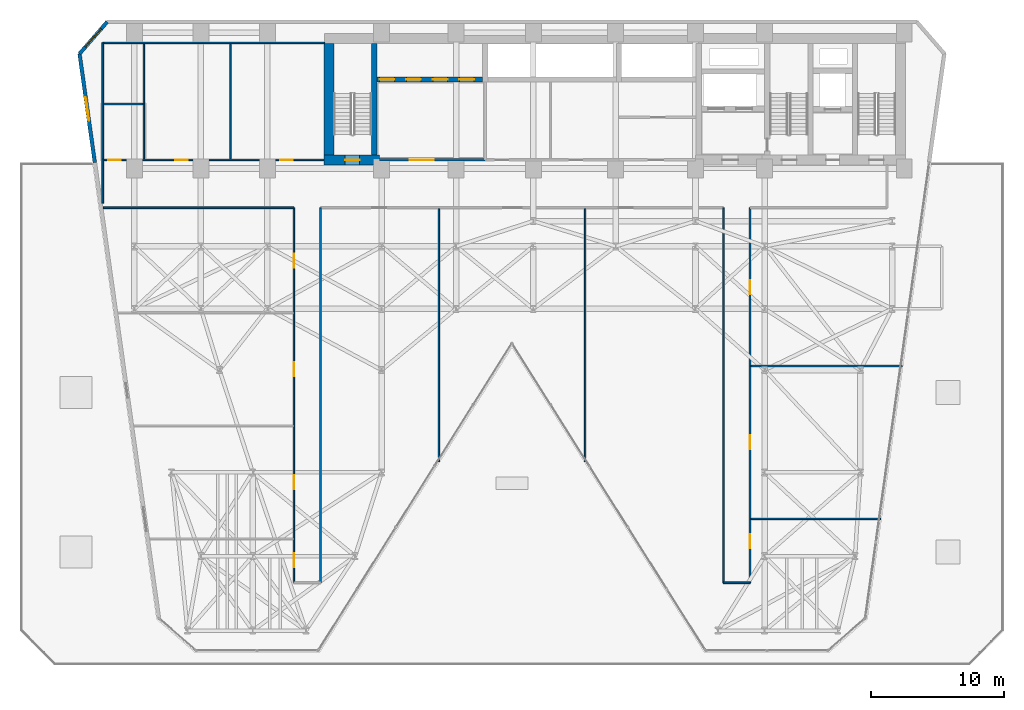
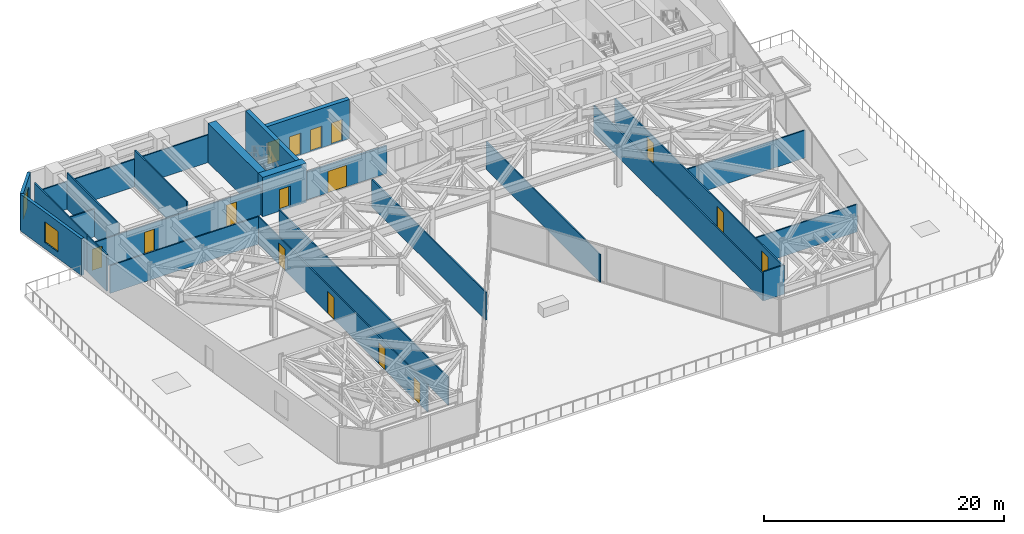
# One storey, part 18 of 25: 24 walls, 16 doors, 2 windows, 18 openings.
"""IFC4 building model written with IfcOpenShell, lengths in metres."""

import ifcopenshell
import ifcopenshell.guid

model = None  # the IFC model being written
_history = None  # IfcOwnerHistory: only IFC2X3 demands one
_inside = {}  # id of a spatial element -> (the spatial element, [elements in it])
_under = {}  # id of a project, library or spatial element -> (it, [spatial elements below it])
_declared = {}  # id of a project -> (the project, [libraries it declares])
_typed = {}  # id of a type object -> (the type object, [elements of that type])
_made_of = {}  # id of a material, layer set ... -> (it, [elements and type objects made of it])


def new_model(schema):
    """Start an empty IFC model of exactly this schema.

    Asked for "IFC4X3", IfcOpenShell would pick the latest addendum, in which some entities
    have other attributes; the version numbers below select the first issue.
    IFC2X3 requires an IfcOwnerHistory on every rooted entity: one is made here for all.
    """
    global model, _history
    if schema == "IFC4X3":
        model = ifcopenshell.file(schema_version=(4, 3, 0, 0))
    else:
        model = ifcopenshell.file(schema=schema)
    _inside.clear()
    _under.clear()
    _declared.clear()
    _typed.clear()
    _made_of.clear()
    _history = None
    if model.schema == "IFC2X3":
        org = make("IfcOrganization", Name="unknown")
        user = make(
            "IfcPersonAndOrganization",
            ThePerson=make("IfcPerson", FamilyName="unknown"),
            TheOrganization=org,
        )
        app = make(
            "IfcApplication",
            ApplicationDeveloper=org,
            Version="unknown",
            ApplicationFullName="unknown",
            ApplicationIdentifier="unknown",
        )
        _history = make(
            "IfcOwnerHistory",
            OwningUser=user,
            OwningApplication=app,
            ChangeAction="ADDED",
            CreationDate=0,
        )
    return model


def make(cls, **values):
    """One entity of the class cls with the attributes given. An attribute that is None is left unset."""
    return model.create_entity(
        cls, **{name: value for name, value in values.items() if value is not None}
    )


def rooted(cls, **values):
    """An entity with a GlobalId (a new one), such as an element, a storey or a relation."""
    return make(cls, GlobalId=ifcopenshell.guid.new(), OwnerHistory=_history, **values)


def si_unit(unit_type, name, prefix=None):
    """IfcSIUnit, for example si_unit("LENGTHUNIT", "METRE", prefix="MILLI")."""
    return make("IfcSIUnit", UnitType=unit_type, Prefix=prefix, Name=name)


def assignment(units):
    """IfcUnitAssignment: the units of a project."""
    return None if units is None else make("IfcUnitAssignment", Units=units)


def point(xyz):
    """IfcCartesianPoint."""
    return None if xyz is None else make("IfcCartesianPoint", Coordinates=xyz)


def direction(xyz):
    """IfcDirection."""
    return None if xyz is None else make("IfcDirection", DirectionRatios=xyz)


def frame(location, z_axis=None, x_axis=None):
    """IfcAxis2Placement3D, a coordinate frame: its origin and axes. An axis left out is left unset."""
    return make(
        "IfcAxis2Placement3D",
        Location=point(location),
        Axis=direction(z_axis),
        RefDirection=direction(x_axis),
    )


def frame_2d(location, x_axis=None):
    """IfcAxis2Placement2D, a coordinate frame in the plane: its origin and x axis."""
    return make(
        "IfcAxis2Placement2D", Location=point(location), RefDirection=direction(x_axis)
    )


def origin():
    """The frame at (0, 0, 0) with its axes left unset."""
    return frame((0.0, 0.0, 0.0))


def place(relative_to, where):
    """IfcLocalPlacement: puts the frame where relative to a parent placement (None: the world)."""
    return make(
        "IfcLocalPlacement", PlacementRelTo=relative_to, RelativePlacement=where
    )


def context(
    kind, dimensions, precision=None, world=None, true_north=None, identifier=None
):
    """IfcGeometricRepresentationContext, for example the 3D "Model" context."""
    return make(
        "IfcGeometricRepresentationContext",
        ContextIdentifier=identifier,
        ContextType=kind,
        CoordinateSpaceDimension=dimensions,
        Precision=precision,
        WorldCoordinateSystem=world,
        TrueNorth=true_north,
    )


def subcontext(parent, identifier, kind, view, scale=None):
    """IfcGeometricRepresentationSubContext, for example "Body" below "Model"."""
    return make(
        "IfcGeometricRepresentationSubContext",
        ContextIdentifier=identifier,
        ContextType=kind,
        ParentContext=parent,
        TargetScale=scale,
        TargetView=view,
    )


def project(units=None, contexts=None):
    """IfcProject with its units and contexts."""
    return rooted(
        "IfcProject",
        Name="project",
        RepresentationContexts=contexts,
        UnitsInContext=assignment(units),
    )


def spatial(cls, under=None, at=None, **own):
    """A site, building, storey or space (cls), placed at a placement, below another one or the project."""
    s = rooted(cls, ObjectPlacement=at, **own)
    if under is not None:
        _under.setdefault(under.id(), (under, []))[1].append(s)
    return s


def profile(cls, at=None, kind="AREA", **sizes):
    """A parametric profile (cls). Its sizes go by their IFC names, for example OverallWidth=200.0."""
    return make(cls, ProfileType=kind, Position=at, **sizes)


def rectangle(**sizes):
    """IfcRectangleProfileDef."""
    return profile("IfcRectangleProfileDef", **sizes)


def extrude(swept, where, along, depth):
    """IfcExtrudedAreaSolid: the profile swept, set in the frame where, extruded along a direction by depth."""
    return make(
        "IfcExtrudedAreaSolid",
        SweptArea=swept,
        Position=where,
        ExtrudedDirection=direction(along),
        Depth=depth,
    )


def shape(context_of_items, identifier, shape_type, items):
    """IfcShapeRepresentation: the items that make up one representation, for example the "Body"."""
    return make(
        "IfcShapeRepresentation",
        ContextOfItems=context_of_items,
        RepresentationIdentifier=identifier,
        RepresentationType=shape_type,
        Items=items,
    )


def material(Name=None, Category=None):
    """IfcMaterial."""
    return make("IfcMaterial", Name=Name, Category=Category)


def layer(
    of_material, thickness, ventilated=None, Name=None, Category=None, Priority=None
):
    """IfcMaterialLayer: one layer of a wall or slab, of a material (None: an air gap)."""
    return make(
        "IfcMaterialLayer",
        Material=of_material,
        LayerThickness=thickness,
        IsVentilated=ventilated,
        Name=Name,
        Category=Category,
        Priority=Priority,
    )


def layer_set(layers, Name=None):
    """IfcMaterialLayerSet."""
    return make("IfcMaterialLayerSet", MaterialLayers=layers, LayerSetName=Name)


def made_of(thing, what):
    """Note that an element or type object is made of a material, layer set ...; save() writes the relation."""
    if what is not None:
        _made_of.setdefault(what.id(), (what, []))[1].append(thing)
    return thing


def type_object(cls, material=None, **own):
    """A type object (cls), such as IfcWallType, which elements share."""
    return made_of(rooted(cls, **own), material)


def element(
    cls,
    number,
    at=None,
    inside=None,
    cuts=None,
    type_object=None,
    material=None,
    context=None,
    identifier="Body",
    shape_type=None,
    held_by="IfcProductDefinitionShape",
    body=None,
    shapes=None,
    **own,
):
    """One element of the class cls, such as IfcWall. Its Tag is "e" and its number.

    at: its placement. inside: the storey or other place that contains it. cuts: it is an
    opening in that element (IfcRelVoidsElement). A single representation is given by context,
    identifier, shape_type and body (its items); several are given by shapes. held_by: the class
    of the entity that holds the representations. save() writes the other relations.
    """
    e = rooted(cls, Tag="e%d" % number, ObjectPlacement=at, **own)
    if body is not None:
        shapes = [shape(context, identifier, shape_type, body)]
    if shapes is not None:
        e.Representation = make(held_by, Representations=shapes)
    if inside is not None:
        _inside.setdefault(inside.id(), (inside, []))[1].append(e)
    if cuts is not None:
        rooted(
            "IfcRelVoidsElement", RelatingBuildingElement=cuts, RelatedOpeningElement=e
        )
    if type_object is not None:
        _typed.setdefault(type_object.id(), (type_object, []))[1].append(e)
    return made_of(e, material)


def fill(opening, filler):
    """IfcRelFillsElement: the door or window that sits in an opening."""
    return rooted(
        "IfcRelFillsElement",
        RelatingOpeningElement=opening,
        RelatedBuildingElement=filler,
    )


def aggregate(whole, parts):
    """IfcRelAggregates: a whole, such as a stair, and the parts it consists of."""
    return rooted("IfcRelAggregates", RelatingObject=whole, RelatedObjects=parts)


def save(model, path):
    """Write the relations noted so far, then the file.

    IfcRelAggregates (storeys below a building ...), IfcRelContainedInSpatialStructure (elements
    in a storey), IfcRelDefinesByType, IfcRelAssociatesMaterial and IfcRelDeclares: one each for
    every whole, place, type object, material and project.
    """
    for whole, parts in _under.values():
        aggregate(whole, parts)
    for where, things in _inside.values():
        rooted(
            "IfcRelContainedInSpatialStructure",
            RelatedElements=things,
            RelatingStructure=where,
        )
    for kind, things in _typed.values():
        rooted("IfcRelDefinesByType", RelatedObjects=things, RelatingType=kind)
    for what, things in _made_of.values():
        rooted("IfcRelAssociatesMaterial", RelatedObjects=things, RelatingMaterial=what)
    for by, libraries in _declared.values():
        rooted("IfcRelDeclares", RelatingContext=by, RelatedDefinitions=libraries)
    model.write(path)


model = new_model("IFC4")

# Units and contexts
model_context = context("Model", 3, precision=1e-05, world=origin(), true_north=direction((0.0, 1.0)))
body_context = subcontext(model_context, "Body", "Model", "MODEL_VIEW")
ifc_project = project(units=[si_unit("LENGTHUNIT", "METRE"), si_unit("AREAUNIT", "SQUARE_METRE"), si_unit("VOLUMEUNIT", "CUBIC_METRE"), si_unit("PLANEANGLEUNIT", "RADIAN"), si_unit("MASSUNIT", "GRAM", prefix="KILO")], contexts=[model_context])

# Site, building, storey
site_placement = place(None, origin())
site = spatial("IfcSite", under=ifc_project, at=site_placement, CompositionType="ELEMENT")
building_placement = place(site_placement, origin())
building = spatial("IfcBuilding", under=site, at=building_placement, Name="Kravanh Interchange Tower", CompositionType="ELEMENT")
storey_placement = place(building_placement, frame((0.0, 0.0, 29.5)))
storey = spatial("IfcBuildingStorey", under=building, at=storey_placement, Name="L06", CompositionType="ELEMENT", Elevation=29.5)

# Wall, openings, doors
ifc_material_1 = material(Name="Double Acoustic Gypsum Board and Mineral Wool")
ifc_layer_1 = layer(ifc_material_1, 0.1201171875)
ifc_layer_set_1 = layer_set([ifc_layer_1], Name="Acoustic Office Drywall Partition 120mm")
wall_type_1 = type_object("IfcWallType", Name="Acoustic Office Drywall Partition 120mm", PredefinedType="PARTITIONING", material=ifc_layer_set_1)
wall_1_placement = place(storey_placement, frame((6.219970703125, 38.0, 0.0), z_axis=(0.0, 0.0, 1.0), x_axis=(1.0, 0.0, 0.0)))
wall_1 = element("IfcWall", 1, at=wall_1_placement, inside=storey, type_object=wall_type_1, Name="L06 Restroom Corridor Wall 7", PredefinedType="PARTITIONING", context=body_context, shape_type="SweptSolid", body=[
    extrude(rectangle(XDim=16.630126953125, YDim=0.1201171875, at=frame_2d((8.31494140625, 0.0))), origin(), (0.0, 0.0, 1.0), 2.81298828125),
])
opening_1_placement = place(wall_1_placement, frame((0.424072265625, 0.0, 0.0)))
opening_1 = element("IfcOpeningElement", 2, at=opening_1_placement, cuts=wall_1, Name="Opening D-95", PredefinedType="OPENING", context=body_context, shape_type="SweptSolid", body=[
    extrude(rectangle(XDim=0.949951171875, YDim=2.14990234375, at=frame_2d((0.47509765625, 1.074951171875))), frame((0.0, 0.070068359375, 0.0), z_axis=(0.0, -1.0, 0.0), x_axis=(1.0, 0.0, 0.0)), (0.0, 0.0, 1.0), 0.14013671875),
])
opening_2_placement = place(wall_1_placement, frame((5.444091796875, 0.0, 0.0)))
opening_2 = element("IfcOpeningElement", 3, at=opening_2_placement, cuts=wall_1, Name="Opening D-95", PredefinedType="OPENING", context=body_context, shape_type="SweptSolid", body=[
    extrude(rectangle(XDim=0.949951171875, YDim=2.14990234375, at=frame_2d((0.47509765625, 1.074951171875))), frame((0.0, 0.070068359375, 0.0), z_axis=(0.0, -1.0, 0.0), x_axis=(1.0, 0.0, 0.0)), (0.0, 0.0, 1.0), 0.14013671875),
])
opening_3_placement = place(wall_1_placement, frame((13.343994140625, 0.0, 0.0)))
opening_3 = element("IfcOpeningElement", 4, at=opening_3_placement, cuts=wall_1, Name="Opening D-95", PredefinedType="OPENING", context=body_context, shape_type="SweptSolid", body=[
    extrude(rectangle(XDim=0.949951171875, YDim=2.14990234375, at=frame_2d((0.47509765625, 1.074951171875))), frame((0.0, 0.070068359375, 0.0), z_axis=(0.0, -1.0, 0.0), x_axis=(1.0, 0.0, 0.0)), (0.0, 0.0, 1.0), 0.14013671875),
])
ifc_material_2 = material(Name="Laminate Solid-Core Timber", Category="wood")
door_type_1 = type_object("IfcDoorType", Name="Accessible Restroom Door 950x2150", OperationType="NOTDEFINED", PredefinedType="DOOR", material=ifc_material_2)
door_1_placement = place(opening_1_placement, origin())
door_1 = element("IfcDoor", 5, at=door_1_placement, inside=storey, type_object=door_type_1, Name="L06 Accessible WC Door", OperationType="SINGLE_SWING_RIGHT", OverallHeight=2.14990234375, OverallWidth=0.949951171875, PredefinedType="DOOR", context=body_context, shape_type="SweptSolid", body=[
    extrude(rectangle(XDim=0.949951171875, YDim=2.14990234375, at=frame_2d((0.47509765625, 1.074951171875))), frame((0.0, 0.02490234375, 0.0), z_axis=(0.0, -1.0, 0.0), x_axis=(1.0, 0.0, 0.0)), (0.0, 0.0, 1.0), 0.050048828125),
])
fill(opening_1, door_1)
door_2_placement = place(opening_2_placement, origin())
door_2 = element("IfcDoor", 6, at=door_2_placement, inside=storey, type_object=door_type_1, Name="L06 Female WC Door", OperationType="SINGLE_SWING_LEFT", OverallHeight=2.14990234375, OverallWidth=0.949951171875, PredefinedType="DOOR", context=body_context, shape_type="SweptSolid", body=[
    extrude(rectangle(XDim=0.949951171875, YDim=2.14990234375, at=frame_2d((0.47509765625, 1.074951171875))), frame((0.0, 0.02490234375, 0.0), z_axis=(0.0, -1.0, 0.0), x_axis=(1.0, 0.0, 0.0)), (0.0, 0.0, 1.0), 0.050048828125),
])
fill(opening_2, door_2)
door_3_placement = place(opening_3_placement, origin())
door_3 = element("IfcDoor", 7, at=door_3_placement, inside=storey, type_object=door_type_1, Name="L06 Male WC Door", OperationType="SINGLE_SWING_RIGHT", OverallHeight=2.14990234375, OverallWidth=0.949951171875, PredefinedType="DOOR", context=body_context, shape_type="SweptSolid", body=[
    extrude(rectangle(XDim=0.949951171875, YDim=2.14990234375, at=frame_2d((0.47509765625, 1.074951171875))), frame((0.0, 0.02490234375, 0.0), z_axis=(0.0, -1.0, 0.0), x_axis=(1.0, 0.0, 0.0)), (0.0, 0.0, 1.0), 0.050048828125),
])
fill(opening_3, door_3)

# Walls
wall_2_placement = place(storey_placement, frame((6.219970703125, 38.0, 0.0), z_axis=(0.0, 0.0, 1.0), x_axis=(0.0, 1.0, 0.0)))
element("IfcWall", 8, at=wall_2_placement, inside=storey, type_object=wall_type_1, Name="L06 Restroom West Enclosure 8", PredefinedType="PARTITIONING", context=body_context, shape_type="SweptSolid", body=[
    extrude(rectangle(XDim=8.800048828125, YDim=0.1201171875, at=frame_2d((4.39990234375, 0.0))), origin(), (0.0, 0.0, 1.0), 3.739990234375),
])
wall_3_placement = place(storey_placement, frame((6.219970703125, 46.800048828125, 0.0), z_axis=(0.0, 0.0, 1.0), x_axis=(1.0, 0.0, 0.0)))
element("IfcWall", 9, at=wall_3_placement, inside=storey, type_object=wall_type_1, Name="L06 Restroom North Enclosure 9", PredefinedType="PARTITIONING", context=body_context, shape_type="SweptSolid", body=[
    extrude(rectangle(XDim=16.679931640625, YDim=0.1201171875, at=frame_2d((8.33984375, 0.0))), origin(), (0.0, 0.0, 1.0), 2.81298828125),
])
for number, where, z_axis, x_axis, name in (
    (10, (9.320068359375, 38.068115234375, 0.0), (0.0, 0.0, 1.0), (0.0, 1.0, 0.0), "L06 Interior Partition 10"),
    (11, (15.840087890625, 38.068115234375, 0.0), (0.0, 0.0, 1.0), (0.0, 1.0, 0.0), "L06 Interior Partition 11"),
):
    element("IfcWall", number, at=place(storey_placement, frame(where, z_axis=z_axis, x_axis=x_axis)), inside=storey, type_object=wall_type_1, Name=name, PredefinedType="PARTITIONING", context=body_context, shape_type="SweptSolid", body=[
        extrude(rectangle(XDim=8.663818359375, YDim=0.1201171875, at=frame_2d((4.33203125, 0.0))), origin(), (0.0, 0.0, 1.0), 3.739990234375),
    ])
wall_4_placement = place(storey_placement, frame((6.2880859375, 42.199951171875, 0.0), z_axis=(0.0, 0.0, 1.0), x_axis=(1.0, 0.0, 0.0)))
element("IfcWall", 12, at=wall_4_placement, inside=storey, type_object=wall_type_1, Name="L06 Interior Partition 12", PredefinedType="PARTITIONING", context=body_context, shape_type="SweptSolid", body=[
    extrude(rectangle(XDim=2.9638671875, YDim=0.1201171875, at=frame_2d((1.48193359375, 0.0))), origin(), (0.0, 0.0, 1.0), 2.81298828125),
])
wall_5_placement = place(storey_placement, frame((6.269287109375, 34.39990234375, 0.0), z_axis=(0.0, 0.0, 1.0), x_axis=(1.0, 0.0, 0.0)))
element("IfcWall", 13, at=wall_5_placement, inside=storey, type_object=wall_type_1, Name="L06 Interior Partition 13", PredefinedType="PARTITIONING", context=body_context, shape_type="SweptSolid", body=[
    extrude(rectangle(XDim=14.330810546875, YDim=0.1201171875, at=frame_2d((7.16552734375, 0.0))), origin(), (0.0, 0.0, 1.0), 2.81298828125),
])
wall_6_placement = place(storey_placement, frame((6.219970703125, 34.751220703125, 0.0), z_axis=(0.0, 0.0, 1.0), x_axis=(0.0, 1.0, 0.0)))
element("IfcWall", 14, at=wall_6_placement, inside=storey, type_object=wall_type_1, Name="L06 Interior Partition 16", PredefinedType="PARTITIONING", context=body_context, shape_type="SweptSolid", body=[
    extrude(rectangle(XDim=3.298828125, YDim=0.1201171875, at=frame_2d((1.6494140625, 0.0))), origin(), (0.0, 0.0, 1.0), 3.739990234375),
])

# Wall, openings, doors
wall_7_placement = place(storey_placement, frame((20.60009765625, 6.199951171875, 0.0), z_axis=(0.0, 0.0, 1.0), x_axis=(0.0, 1.0, 0.0)))
wall_7 = element("IfcWall", 15, at=wall_7_placement, inside=storey, type_object=wall_type_1, Name="L06 Interior Partition 18", PredefinedType="PARTITIONING", context=body_context, shape_type="SweptSolid", body=[
    extrude(rectangle(XDim=28.199951171875, YDim=0.1201171875, at=frame_2d((14.10009765625, 0.0))), origin(), (0.0, 0.0, 1.0), 2.81298828125),
])
opening_4_placement = place(wall_7_placement, frame((1.166015625, 0.0, 0.0)))
opening_4 = element("IfcOpeningElement", 16, at=opening_4_placement, cuts=wall_7, Name="Opening D-105", PredefinedType="OPENING", context=body_context, shape_type="SweptSolid", body=[
    extrude(rectangle(XDim=1.050048828125, YDim=2.199951171875, at=frame_2d((0.52490234375, 1.10009765625))), frame((0.0, 0.070068359375, 0.0), z_axis=(0.0, -1.0, 0.0), x_axis=(1.0, 0.0, 0.0)), (0.0, 0.0, 1.0), 0.14013671875),
])
opening_5_placement = place(wall_7_placement, frame((7.02490234375, 0.0, 0.0)))
opening_5 = element("IfcOpeningElement", 17, at=opening_5_placement, cuts=wall_7, Name="Opening D-105", PredefinedType="OPENING", context=body_context, shape_type="SweptSolid", body=[
    extrude(rectangle(XDim=1.050048828125, YDim=2.199951171875, at=frame_2d((0.52490234375, 1.10009765625))), frame((0.0, 0.070068359375, 0.0), z_axis=(0.0, -1.0, 0.0), x_axis=(1.0, 0.0, 0.0)), (0.0, 0.0, 1.0), 0.14013671875),
])
opening_6_placement = place(wall_7_placement, frame((15.52490234375, 0.0, 0.0)))
opening_6 = element("IfcOpeningElement", 18, at=opening_6_placement, cuts=wall_7, Name="Opening D-105", PredefinedType="OPENING", context=body_context, shape_type="SweptSolid", body=[
    extrude(rectangle(XDim=1.050048828125, YDim=2.199951171875, at=frame_2d((0.52490234375, 1.10009765625))), frame((0.0, 0.070068359375, 0.0), z_axis=(0.0, -1.0, 0.0), x_axis=(1.0, 0.0, 0.0)), (0.0, 0.0, 1.0), 0.14013671875),
])
opening_7_placement = place(wall_7_placement, frame((23.699951171875, 0.0, 0.0)))
opening_7 = element("IfcOpeningElement", 19, at=opening_7_placement, cuts=wall_7, Name="Opening D-105", PredefinedType="OPENING", context=body_context, shape_type="SweptSolid", body=[
    extrude(rectangle(XDim=1.050048828125, YDim=2.199951171875, at=frame_2d((0.52490234375, 1.10009765625))), frame((0.0, 0.070068359375, 0.0), z_axis=(0.0, -1.0, 0.0), x_axis=(1.0, 0.0, 0.0)), (0.0, 0.0, 1.0), 0.14013671875),
])
ifc_material_3 = material(Name="Acoustic Glazed Oak and Aluminium", Category="aluminium")
door_type_2 = type_object("IfcDoorType", Name="Office Workplace Door 1050x2200", OperationType="NOTDEFINED", PredefinedType="DOOR", material=ifc_material_3)
door_4_placement = place(opening_4_placement, origin())
door_4 = element("IfcDoor", 20, at=door_4_placement, inside=storey, type_object=door_type_2, Name="L06 SW Corner Office Door", OperationType="SINGLE_SWING_LEFT", OverallHeight=2.199951171875, OverallWidth=1.050048828125, PredefinedType="DOOR", context=body_context, shape_type="SweptSolid", body=[
    extrude(rectangle(XDim=1.050048828125, YDim=2.199951171875, at=frame_2d((0.52490234375, 1.10009765625))), frame((0.0, 0.02490234375, 0.0), z_axis=(0.0, -1.0, 0.0), x_axis=(1.0, 0.0, 0.0)), (0.0, 0.0, 1.0), 0.050048828125),
])
fill(opening_4, door_4)
door_5_placement = place(opening_5_placement, origin())
door_5 = element("IfcDoor", 21, at=door_5_placement, inside=storey, type_object=door_type_2, Name="L06 West Partner Office Door", OperationType="SINGLE_SWING_RIGHT", OverallHeight=2.199951171875, OverallWidth=1.050048828125, PredefinedType="DOOR", context=body_context, shape_type="SweptSolid", body=[
    extrude(rectangle(XDim=1.050048828125, YDim=2.199951171875, at=frame_2d((0.52490234375, 1.10009765625))), frame((0.0, 0.02490234375, 0.0), z_axis=(0.0, -1.0, 0.0), x_axis=(1.0, 0.0, 0.0)), (0.0, 0.0, 1.0), 0.050048828125),
])
fill(opening_5, door_5)
door_6_placement = place(opening_6_placement, origin())
door_6 = element("IfcDoor", 22, at=door_6_placement, inside=storey, type_object=door_type_2, Name="L06 West Balcony Office Door", OperationType="SINGLE_SWING_LEFT", OverallHeight=2.199951171875, OverallWidth=1.050048828125, PredefinedType="DOOR", context=body_context, shape_type="SweptSolid", body=[
    extrude(rectangle(XDim=1.050048828125, YDim=2.199951171875, at=frame_2d((0.52490234375, 1.10009765625))), frame((0.0, 0.02490234375, 0.0), z_axis=(0.0, -1.0, 0.0), x_axis=(1.0, 0.0, 0.0)), (0.0, 0.0, 1.0), 0.050048828125),
])
fill(opening_6, door_6)
door_7_placement = place(opening_7_placement, origin())
door_7 = element("IfcDoor", 23, at=door_7_placement, inside=storey, type_object=door_type_2, Name="L06 NW Legal Office Door", OperationType="SINGLE_SWING_RIGHT", OverallHeight=2.199951171875, OverallWidth=1.050048828125, PredefinedType="DOOR", context=body_context, shape_type="SweptSolid", body=[
    extrude(rectangle(XDim=1.050048828125, YDim=2.199951171875, at=frame_2d((0.52490234375, 1.10009765625))), frame((0.0, 0.02490234375, 0.0), z_axis=(0.0, -1.0, 0.0), x_axis=(1.0, 0.0, 0.0)), (0.0, 0.0, 1.0), 0.050048828125),
])
fill(opening_7, door_7)

# Walls
for number, where, z_axis, x_axis, name in (
    (24, (22.60009765625, 6.199951171875, 0.0), (0.0, 0.0, 1.0), (0.0, 1.0, 0.0), "L06 Interior Partition 19"),
    (25, (52.89990234375, 6.199951171875, 0.0), (0.0, 0.0, 1.0), (0.0, 1.0, 0.0), "L06 Interior Partition 21"),
):
    element("IfcWall", number, at=place(storey_placement, frame(where, z_axis=z_axis, x_axis=x_axis)), inside=storey, type_object=wall_type_1, Name=name, PredefinedType="PARTITIONING", context=body_context, shape_type="SweptSolid", body=[
        extrude(rectangle(XDim=28.199951171875, YDim=0.1201171875, at=frame_2d((14.10009765625, 0.0))), origin(), (0.0, 0.0, 1.0), 2.81298828125),
    ])

# Wall, openings, doors
wall_8_placement = place(storey_placement, frame((54.89990234375, 6.199951171875, 0.0), z_axis=(0.0, 0.0, 1.0), x_axis=(0.0, 1.0, 0.0)))
wall_8 = element("IfcWall", 26, at=wall_8_placement, inside=storey, type_object=wall_type_1, Name="L06 Interior Partition 22", PredefinedType="PARTITIONING", context=body_context, shape_type="SweptSolid", body=[
    extrude(rectangle(XDim=28.199951171875, YDim=0.1201171875, at=frame_2d((14.10009765625, 0.0))), origin(), (0.0, 0.0, 1.0), 2.81298828125),
])
opening_8_placement = place(wall_8_placement, frame((2.601318359375, 0.0, 0.0)))
opening_8 = element("IfcOpeningElement", 27, at=opening_8_placement, cuts=wall_8, Name="Opening D-105", PredefinedType="OPENING", context=body_context, shape_type="SweptSolid", body=[
    extrude(rectangle(XDim=1.050048828125, YDim=2.199951171875, at=frame_2d((0.52490234375, 1.10009765625))), frame((0.0, 0.070068359375, 0.0), z_axis=(0.0, -1.0, 0.0), x_axis=(1.0, 0.0, 0.0)), (0.0, 0.0, 1.0), 0.14013671875),
])
opening_9_placement = place(wall_8_placement, frame((10.02490234375, 0.0, 0.0)))
opening_9 = element("IfcOpeningElement", 28, at=opening_9_placement, cuts=wall_8, Name="Opening D-105", PredefinedType="OPENING", context=body_context, shape_type="SweptSolid", body=[
    extrude(rectangle(XDim=1.050048828125, YDim=2.199951171875, at=frame_2d((0.52490234375, 1.10009765625))), frame((0.0, 0.070068359375, 0.0), z_axis=(0.0, -1.0, 0.0), x_axis=(1.0, 0.0, 0.0)), (0.0, 0.0, 1.0), 0.14013671875),
])
opening_10_placement = place(wall_8_placement, frame((21.699951171875, 0.0, 0.0)))
opening_10 = element("IfcOpeningElement", 29, at=opening_10_placement, cuts=wall_8, Name="Opening D-105", PredefinedType="OPENING", context=body_context, shape_type="SweptSolid", body=[
    extrude(rectangle(XDim=1.050048828125, YDim=2.199951171875, at=frame_2d((0.52490234375, 1.10009765625))), frame((0.0, 0.070068359375, 0.0), z_axis=(0.0, -1.0, 0.0), x_axis=(1.0, 0.0, 0.0)), (0.0, 0.0, 1.0), 0.14013671875),
])
door_8_placement = place(opening_8_placement, origin())
door_8 = element("IfcDoor", 30, at=door_8_placement, inside=storey, type_object=door_type_2, Name="L06 SE Executive Office Door", OperationType="SINGLE_SWING_LEFT", OverallHeight=2.199951171875, OverallWidth=1.050048828125, PredefinedType="DOOR", context=body_context, shape_type="SweptSolid", body=[
    extrude(rectangle(XDim=1.050048828125, YDim=2.199951171875, at=frame_2d((0.52490234375, 1.10009765625))), frame((0.0, 0.02490234375, 0.0), z_axis=(0.0, -1.0, 0.0), x_axis=(1.0, 0.0, 0.0)), (0.0, 0.0, 1.0), 0.050048828125),
])
fill(opening_8, door_8)
door_9_placement = place(opening_9_placement, origin())
door_9 = element("IfcDoor", 31, at=door_9_placement, inside=storey, type_object=door_type_2, Name="L06 East Associates Office Door", OperationType="SINGLE_SWING_RIGHT", OverallHeight=2.199951171875, OverallWidth=1.050048828125, PredefinedType="DOOR", context=body_context, shape_type="SweptSolid", body=[
    extrude(rectangle(XDim=1.050048828125, YDim=2.199951171875, at=frame_2d((0.52490234375, 1.10009765625))), frame((0.0, 0.02490234375, 0.0), z_axis=(0.0, -1.0, 0.0), x_axis=(1.0, 0.0, 0.0)), (0.0, 0.0, 1.0), 0.050048828125),
])
fill(opening_9, door_9)
door_10_placement = place(opening_10_placement, origin())
door_10 = element("IfcDoor", 32, at=door_10_placement, inside=storey, type_object=door_type_2, Name="L06 East Balcony Lounge Door", OperationType="SINGLE_SWING_LEFT", OverallHeight=2.199951171875, OverallWidth=1.050048828125, PredefinedType="DOOR", context=body_context, shape_type="SweptSolid", body=[
    extrude(rectangle(XDim=1.050048828125, YDim=2.199951171875, at=frame_2d((0.52490234375, 1.10009765625))), frame((0.0, 0.02490234375, 0.0), z_axis=(0.0, -1.0, 0.0), x_axis=(1.0, 0.0, 0.0)), (0.0, 0.0, 1.0), 0.050048828125),
])
fill(opening_10, door_10)

# Walls
wall_9_placement = place(storey_placement, frame((52.89990234375, 6.199951171875, 0.0), z_axis=(0.0, 0.0, 1.0), x_axis=(1.0, 0.0, 0.0)))
element("IfcWall", 33, at=wall_9_placement, inside=storey, type_object=wall_type_1, Name="L06 Interior Partition 23", PredefinedType="PARTITIONING", context=body_context, shape_type="SweptSolid", body=[
    extrude(rectangle(XDim=2.0, YDim=0.1201171875, at=frame_2d((1.0, 0.0))), origin(), (0.0, 0.0, 1.0), 2.97802734375),
])
wall_10_placement = place(storey_placement, frame((54.968017578125, 11.0, 0.0), z_axis=(0.0, 0.0, 1.0), x_axis=(1.0, 0.0, 0.0)))
element("IfcWall", 34, at=wall_10_placement, inside=storey, type_object=wall_type_1, Name="L06 Interior Partition 27", PredefinedType="PARTITIONING", context=body_context, shape_type="SweptSolid", body=[
    extrude(rectangle(XDim=9.74658203125, YDim=0.1201171875, at=frame_2d((4.873291015625, 0.0))), origin(), (0.0, 0.0, 1.0), 2.81298828125),
])
wall_11_placement = place(storey_placement, frame((54.968017578125, 22.5, 0.0), z_axis=(0.0, 0.0, 1.0), x_axis=(1.0, 0.0, 0.0)))
element("IfcWall", 35, at=wall_11_placement, inside=storey, type_object=wall_type_1, Name="L06 Interior Partition 28", PredefinedType="PARTITIONING", context=body_context, shape_type="SweptSolid", body=[
    extrude(rectangle(XDim=11.36279296875, YDim=0.1201171875, at=frame_2d((5.681396484375, 0.0))), origin(), (0.0, 0.0, 1.0), 2.81298828125),
])
for number, where, z_axis, x_axis, name in (
    (36, (31.5, 15.303955078125, 0.0), (0.0, 0.0, 1.0), (0.0, 1.0, 0.0), "L06 Interior Partition 29"),
    (37, (42.5, 15.303955078125, 0.0), (0.0, 0.0, 1.0), (0.0, 1.0, 0.0), "L06 Interior Partition 30"),
):
    element("IfcWall", number, at=place(storey_placement, frame(where, z_axis=z_axis, x_axis=x_axis)), inside=storey, type_object=wall_type_1, Name=name, PredefinedType="PARTITIONING", context=body_context, shape_type="SweptSolid", body=[
        extrude(rectangle(XDim=19.028076171875, YDim=0.1201171875, at=frame_2d((9.51416015625, 0.0))), origin(), (0.0, 0.0, 1.0), 2.81298828125),
    ])

# Wall, openings, doors
ifc_material_4 = material(Name="Concrete C80/95", Category="concrete")
ifc_layer_2 = layer(ifc_material_4, 0.39990234375)
ifc_layer_set_2 = layer_set([ifc_layer_2], Name="Core Shear Wall Concrete C80/95 400mm")
wall_type_2 = type_object("IfcWallType", Name="Core Shear Wall Concrete C80/95 400mm", PredefinedType="SHEAR", material=ifc_layer_set_2)
wall_12_placement = place(storey_placement, frame((26.85009765625, 44.050048828125, 0.0), z_axis=(0.0, 0.0, 1.0), x_axis=(1.0, 0.0, 0.0)))
wall_12 = element("IfcWall", 38, at=wall_12_placement, inside=storey, type_object=wall_type_2, Name="L06 Low-Rise Lift Shaft South Wall", PredefinedType="SHEAR", context=body_context, shape_type="SweptSolid", body=[
    extrude(rectangle(XDim=7.949951171875, YDim=0.39990234375, at=frame_2d((3.97509765625, 0.0))), origin(), (0.0, 0.0, 1.0), 4.0),
])
opening_11_placement = place(wall_12_placement, frame((0.199951171875, 0.0, 0.0)))
opening_11 = element("IfcOpeningElement", 39, at=opening_11_placement, cuts=wall_12, Name="Opening LD01", PredefinedType="OPENING", context=body_context, shape_type="SweptSolid", body=[
    extrude(rectangle(XDim=1.10009765625, YDim=2.199951171875, at=frame_2d((0.550048828125, 1.10009765625))), frame((0.0, 0.2099609375, 0.0), z_axis=(0.0, -1.0, 0.0), x_axis=(1.0, 0.0, 0.0)), (0.0, 0.0, 1.0), 0.419921875),
])
opening_12_placement = place(wall_12_placement, frame((2.199951171875, 0.0, 0.0)))
opening_12 = element("IfcOpeningElement", 40, at=opening_12_placement, cuts=wall_12, Name="Opening LD01", PredefinedType="OPENING", context=body_context, shape_type="SweptSolid", body=[
    extrude(rectangle(XDim=1.10009765625, YDim=2.199951171875, at=frame_2d((0.550048828125, 1.10009765625))), frame((0.0, 0.2099609375, 0.0), z_axis=(0.0, -1.0, 0.0), x_axis=(1.0, 0.0, 0.0)), (0.0, 0.0, 1.0), 0.419921875),
])
opening_13_placement = place(wall_12_placement, frame((4.199951171875, 0.0, 0.0)))
opening_13 = element("IfcOpeningElement", 41, at=opening_13_placement, cuts=wall_12, Name="Opening LD01", PredefinedType="OPENING", context=body_context, shape_type="SweptSolid", body=[
    extrude(rectangle(XDim=1.10009765625, YDim=2.199951171875, at=frame_2d((0.550048828125, 1.10009765625))), frame((0.0, 0.2099609375, 0.0), z_axis=(0.0, -1.0, 0.0), x_axis=(1.0, 0.0, 0.0)), (0.0, 0.0, 1.0), 0.419921875),
])
opening_14_placement = place(wall_12_placement, frame((6.199951171875, 0.0, 0.0)))
opening_14 = element("IfcOpeningElement", 42, at=opening_14_placement, cuts=wall_12, Name="Opening LD01", PredefinedType="OPENING", context=body_context, shape_type="SweptSolid", body=[
    extrude(rectangle(XDim=1.10009765625, YDim=2.199951171875, at=frame_2d((0.550048828125, 1.10009765625))), frame((0.0, 0.2099609375, 0.0), z_axis=(0.0, -1.0, 0.0), x_axis=(1.0, 0.0, 0.0)), (0.0, 0.0, 1.0), 0.419921875),
])
ifc_material_5 = material(Name="Stainless Steel 304", Category="steel")
door_type_3 = type_object("IfcDoorType", Name="Passenger Lift Sliding Landing Door 1100x2200", OperationType="DOUBLE_DOOR_SLIDING", PredefinedType="DOOR", material=ifc_material_5)
door_11_placement = place(opening_11_placement, origin())
door_11 = element("IfcDoor", 43, at=door_11_placement, inside=storey, type_object=door_type_3, Name="L06 Lift LP-L1 Landing Door", OperationType="DOUBLE_DOOR_SLIDING", OverallHeight=2.199951171875, OverallWidth=1.10009765625, PredefinedType="DOOR", context=body_context, shape_type="SweptSolid", body=[
    extrude(rectangle(XDim=1.10009765625, YDim=2.199951171875, at=frame_2d((0.550048828125, 1.10009765625))), frame((0.0, 0.02490234375, 0.0), z_axis=(0.0, -1.0, 0.0), x_axis=(1.0, 0.0, 0.0)), (0.0, 0.0, 1.0), 0.050048828125),
])
fill(opening_11, door_11)
door_12_placement = place(opening_12_placement, origin())
door_12 = element("IfcDoor", 44, at=door_12_placement, inside=storey, type_object=door_type_3, Name="L06 Lift LP-L2 Landing Door", OperationType="DOUBLE_DOOR_SLIDING", OverallHeight=2.199951171875, OverallWidth=1.10009765625, PredefinedType="DOOR", context=body_context, shape_type="SweptSolid", body=[
    extrude(rectangle(XDim=1.10009765625, YDim=2.199951171875, at=frame_2d((0.550048828125, 1.10009765625))), frame((0.0, 0.02490234375, 0.0), z_axis=(0.0, -1.0, 0.0), x_axis=(1.0, 0.0, 0.0)), (0.0, 0.0, 1.0), 0.050048828125),
])
fill(opening_12, door_12)
door_13_placement = place(opening_13_placement, origin())
door_13 = element("IfcDoor", 45, at=door_13_placement, inside=storey, type_object=door_type_3, Name="L06 Lift LP-L3 Landing Door", OperationType="DOUBLE_DOOR_SLIDING", OverallHeight=2.199951171875, OverallWidth=1.10009765625, PredefinedType="DOOR", context=body_context, shape_type="SweptSolid", body=[
    extrude(rectangle(XDim=1.10009765625, YDim=2.199951171875, at=frame_2d((0.550048828125, 1.10009765625))), frame((0.0, 0.02490234375, 0.0), z_axis=(0.0, -1.0, 0.0), x_axis=(1.0, 0.0, 0.0)), (0.0, 0.0, 1.0), 0.050048828125),
])
fill(opening_13, door_13)
door_14_placement = place(opening_14_placement, origin())
door_14 = element("IfcDoor", 46, at=door_14_placement, inside=storey, type_object=door_type_3, Name="L06 Lift LP-L4 Landing Door", OperationType="DOUBLE_DOOR_SLIDING", OverallHeight=2.199951171875, OverallWidth=1.10009765625, PredefinedType="DOOR", context=body_context, shape_type="SweptSolid", body=[
    extrude(rectangle(XDim=1.10009765625, YDim=2.199951171875, at=frame_2d((0.550048828125, 1.10009765625))), frame((0.0, 0.02490234375, 0.0), z_axis=(0.0, -1.0, 0.0), x_axis=(1.0, 0.0, 0.0)), (0.0, 0.0, 1.0), 0.050048828125),
])
fill(opening_14, door_14)

# Wall
wall_13_placement = place(storey_placement, frame((26.64990234375, 38.375, 0.0), z_axis=(0.0, 0.0, 1.0), x_axis=(0.0, 1.0, 0.0)))
element("IfcWall", 47, at=wall_13_placement, inside=storey, type_object=wall_type_2, Name="L06 Stair ST3 East Shear Wall", PredefinedType="SHEAR", context=body_context, shape_type="SweptSolid", body=[
    extrude(rectangle(XDim=8.375, YDim=0.39990234375, at=frame_2d((4.1875, 0.0))), origin(), (0.0, 0.0, 1.0), 4.0),
])

# Wall, opening, door
ifc_material_6 = material(Name="Concrete C80/95", Category="concrete")
ifc_layer_3 = layer(ifc_material_6, 0.75)
ifc_layer_set_3 = layer_set([ifc_layer_3], Name="Core Shear Wall Concrete C80/95 750mm")
wall_type_3 = type_object("IfcWallType", Name="Core Shear Wall Concrete C80/95 750mm", PredefinedType="SHEAR", material=ifc_layer_set_3)
wall_14_placement = place(storey_placement, frame((22.85009765625, 38.0, 0.0), z_axis=(0.0, 0.0, 1.0), x_axis=(1.0, 0.0, 0.0)))
wall_14 = element("IfcWall", 48, at=wall_14_placement, inside=storey, type_object=wall_type_3, Name="L06 Stair ST3 South Shear Wall", PredefinedType="SHEAR", context=body_context, shape_type="SweptSolid", body=[
    extrude(rectangle(XDim=4.199951171875, YDim=0.75, at=frame_2d((2.10009765625, 0.0))), origin(), (0.0, 0.0, 1.0), 4.0),
])
opening_15_placement = place(wall_14_placement, frame((1.60009765625, 0.0, 0.0)))
opening_15 = element("IfcOpeningElement", 49, at=opening_15_placement, cuts=wall_14, Name="Opening D-STAIR-110", PredefinedType="OPENING", context=body_context, shape_type="SweptSolid", body=[
    extrude(rectangle(XDim=1.10009765625, YDim=2.199951171875, at=frame_2d((0.550048828125, 1.10009765625))), frame((0.0, 0.385009765625, 0.0), z_axis=(0.0, -1.0, 0.0), x_axis=(1.0, 0.0, 0.0)), (0.0, 0.0, 1.0), 0.77001953125),
])
ifc_material_7 = material(Name="Structural Steel S355", Category="steel")
door_type_4 = type_object("IfcDoorType", Name="Fire-Rated Exit Stair Door 1100x2200", OperationType="NOTDEFINED", PredefinedType="DOOR", material=ifc_material_7)
door_15_placement = place(opening_15_placement, origin())
door_15 = element("IfcDoor", 50, at=door_15_placement, inside=storey, type_object=door_type_4, Name="L06 Exit Stair ST3 Door", OperationType="SINGLE_SWING_RIGHT", OverallHeight=2.199951171875, OverallWidth=1.10009765625, PredefinedType="DOOR", context=body_context, shape_type="SweptSolid", body=[
    extrude(rectangle(XDim=1.10009765625, YDim=2.199951171875, at=frame_2d((0.550048828125, 1.10009765625))), frame((0.0, 0.02490234375, 0.0), z_axis=(0.0, -1.0, 0.0), x_axis=(1.0, 0.0, 0.0)), (0.0, 0.0, 1.0), 0.050048828125),
])
fill(opening_15, door_15)

# Wall
wall_15_placement = place(storey_placement, frame((23.22509765625, 38.375, 0.0), z_axis=(0.0, 0.0, 1.0), x_axis=(0.0, 1.0, 0.0)))
element("IfcWall", 51, at=wall_15_placement, inside=storey, type_object=wall_type_3, Name="L06 Stair ST3 West Shear Wall", PredefinedType="SHEAR", context=body_context, shape_type="SweptSolid", body=[
    extrude(rectangle(XDim=8.375, YDim=0.75, at=frame_2d((4.1875, 0.0))), origin(), (0.0, 0.0, 1.0), 4.0),
])

# Wall, opening, window
ifc_material_8 = material(Name="Insulated Precast Concrete C40/50 with Bronze Cladding", Category="concrete")
ifc_layer_4 = layer(ifc_material_8, 0.280029296875)
ifc_layer_set_4 = layer_set([ifc_layer_4], Name="Exterior Insulated Concrete C40/50 Bronze Spandrel Wall 280mm")
wall_type_4 = type_object("IfcWallType", Name="Exterior Insulated Concrete C40/50 Bronze Spandrel Wall 280mm", PredefinedType="STANDARD", material=ifc_layer_set_4)
wall_16_placement = place(storey_placement, frame((5.625, 37.800048828125, 0.0), z_axis=(0.0, 0.0, 1.0), x_axis=(-0.139180172484, 0.990267074878, 0.0)))
wall_16 = element("IfcWall", 52, at=wall_16_placement, inside=storey, type_object=wall_type_4, Name="L06 Exterior Wall 2", PredefinedType="STANDARD", context=body_context, shape_type="SweptSolid", body=[
    extrude(rectangle(XDim=8.267333984375, YDim=0.280029296875, at=frame_2d((4.1337890625, 0.0))), origin(), (0.0, 0.0, 1.0), 3.739990234375),
])
opening_16_placement = place(wall_16_placement, frame((3.1728515625, 0.0, 0.64990234375)))
opening_16 = element("IfcOpeningElement", 53, at=opening_16_placement, cuts=wall_16, Name="Opening WN-180X210", PredefinedType="OPENING", context=body_context, shape_type="SweptSolid", body=[
    extrude(rectangle(XDim=1.800048828125, YDim=2.10009765625, at=frame_2d((0.89990234375, 1.050048828125))), frame((0.0, 0.14990234375, 0.0), z_axis=(0.0, -1.0, 0.0), x_axis=(1.0, 0.0, 0.0)), (0.0, 0.0, 1.0), 0.300048828125),
])
ifc_material_9 = material(Name="Thermally Broken Bronze Aluminium and Low-E Glass", Category="aluminium")
window_type = type_object("IfcWindowType", Name="Tower Pier Window 1800x2100", PartitioningType="SINGLE_PANEL", PredefinedType="WINDOW", material=ifc_material_9)
window_1_placement = place(opening_16_placement, origin())
window_1 = element("IfcWindow", 54, at=window_1_placement, inside=storey, type_object=window_type, Name="L06 Corner Window 2", OverallHeight=2.10009765625, OverallWidth=1.800048828125, PartitioningType="SINGLE_PANEL", PredefinedType="WINDOW", context=body_context, shape_type="SweptSolid", body=[
    extrude(rectangle(XDim=1.800048828125, YDim=2.10009765625, at=frame_2d((0.89990234375, 1.050048828125))), frame((0.0, 0.030029296875, 0.0), z_axis=(0.0, -1.0, 0.0), x_axis=(1.0, 0.0, 0.0)), (0.0, 0.0, 1.0), 0.06005859375),
])
fill(opening_16, window_1)

wall_17_placement = place(storey_placement, frame((4.474365234375, 45.98681640625, 0.0), z_axis=(0.0, 0.0, 1.0), x_axis=(0.656070053895, 0.754699996278, 0.0)))
wall_17 = element("IfcWall", 55, at=wall_17_placement, inside=storey, type_object=wall_type_4, Name="L06 Exterior Wall 3", PredefinedType="STANDARD", context=body_context, shape_type="SweptSolid", body=[
    extrude(rectangle(XDim=3.1708984375, YDim=0.280029296875, at=frame_2d((1.58544921875, 0.0))), origin(), (0.0, 0.0, 1.0), 3.739990234375),
])
opening_17_placement = place(wall_17_placement, frame((0.66650390625, 0.0, 0.64990234375)))
opening_17 = element("IfcOpeningElement", 56, at=opening_17_placement, cuts=wall_17, Name="Opening WN-180X210", PredefinedType="OPENING", context=body_context, shape_type="SweptSolid", body=[
    extrude(rectangle(XDim=1.800048828125, YDim=2.10009765625, at=frame_2d((0.89990234375, 1.050048828125))), frame((0.0, 0.14990234375, 0.0), z_axis=(0.0, -1.0, 0.0), x_axis=(1.0, 0.0, 0.0)), (0.0, 0.0, 1.0), 0.300048828125),
])
window_2_placement = place(opening_17_placement, origin())
window_2 = element("IfcWindow", 57, at=window_2_placement, inside=storey, type_object=window_type, Name="L06 Corner Window 3", OverallHeight=2.10009765625, OverallWidth=1.800048828125, PartitioningType="SINGLE_PANEL", PredefinedType="WINDOW", context=body_context, shape_type="SweptSolid", body=[
    extrude(rectangle(XDim=1.800048828125, YDim=2.10009765625, at=frame_2d((0.89990234375, 1.050048828125))), frame((0.0, 0.030029296875, 0.0), z_axis=(0.0, -1.0, 0.0), x_axis=(1.0, 0.0, 0.0)), (0.0, 0.0, 1.0), 0.06005859375),
])
fill(opening_17, window_2)

# Wall, opening, door
ifc_material_10 = material(Name="Autoclaved Aerated Concrete C30/37 Blockwork", Category="masonry")
ifc_layer_5 = layer(ifc_material_10, 0.179931640625)
ifc_layer_set_5 = layer_set([ifc_layer_5], Name="Fire-Rated Lobby and Corridor Wall Concrete C30/37 180mm")
wall_type_5 = type_object("IfcWallType", Name="Fire-Rated Lobby and Corridor Wall Concrete C30/37 180mm", PredefinedType="STANDARD", material=ifc_layer_set_5)
wall_18_placement = place(storey_placement, frame((27.050048828125, 38.0, 0.0), z_axis=(0.0, 0.0, 1.0), x_axis=(1.0, 0.0, 0.0)))
wall_18 = element("IfcWall", 58, at=wall_18_placement, inside=storey, type_object=wall_type_5, Name="L06 Low-Rise Lobby South Wall 4", PredefinedType="STANDARD", context=body_context, shape_type="SweptSolid", body=[
    extrude(rectangle(XDim=7.949951171875, YDim=0.179931640625, at=frame_2d((3.97509765625, 0.0))), origin(), (0.0, 0.0, 1.0), 2.81298828125),
])
opening_18_placement = place(wall_18_placement, frame((2.25, 0.0, 0.0)))
opening_18 = element("IfcOpeningElement", 59, at=opening_18_placement, cuts=wall_18, Name="Opening DBL-180", PredefinedType="OPENING", context=body_context, shape_type="SweptSolid", body=[
    extrude(rectangle(XDim=1.800048828125, YDim=2.199951171875, at=frame_2d((0.89990234375, 1.10009765625))), frame((0.0, 0.10009765625, 0.0), z_axis=(0.0, -1.0, 0.0), x_axis=(1.0, 0.0, 0.0)), (0.0, 0.0, 1.0), 0.199951171875),
])
ifc_material_11 = material(Name="Structural Steel S355", Category="steel")
door_type_5 = type_object("IfcDoorType", Name="Lift Lobby Double Fire Door 1800x2200", OperationType="DOUBLE_DOOR_SINGLE_SWING", PredefinedType="DOOR", material=ifc_material_11)
door_16_placement = place(opening_18_placement, origin())
door_16 = element("IfcDoor", 60, at=door_16_placement, inside=storey, type_object=door_type_5, Name="L06 Low-Rise Lift Lobby Door", OperationType="DOUBLE_DOOR_SINGLE_SWING", OverallHeight=2.199951171875, OverallWidth=1.800048828125, PredefinedType="DOOR", context=body_context, shape_type="SweptSolid", body=[
    extrude(rectangle(XDim=1.800048828125, YDim=2.199951171875, at=frame_2d((0.89990234375, 1.10009765625))), frame((0.0, 0.02490234375, 0.0), z_axis=(0.0, -1.0, 0.0), x_axis=(1.0, 0.0, 0.0)), (0.0, 0.0, 1.0), 0.050048828125),
])
fill(opening_18, door_16)

save(model, "model.ifc")
